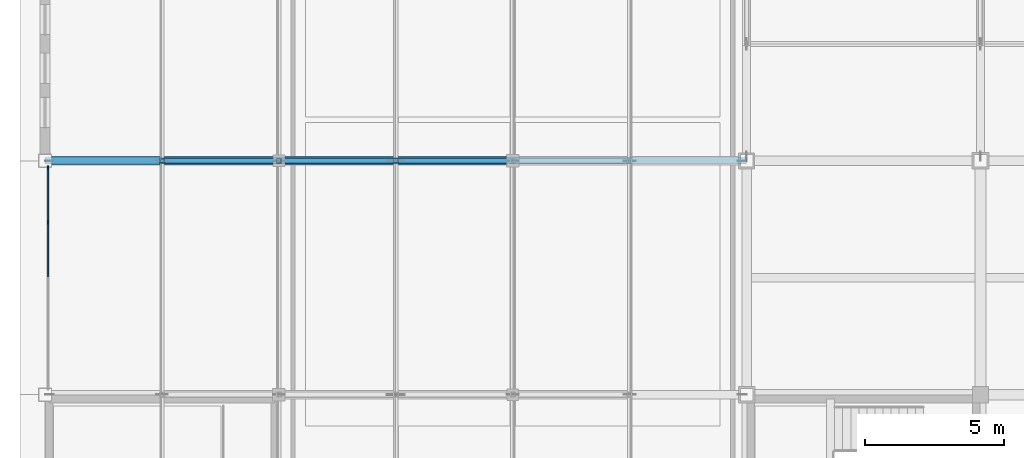
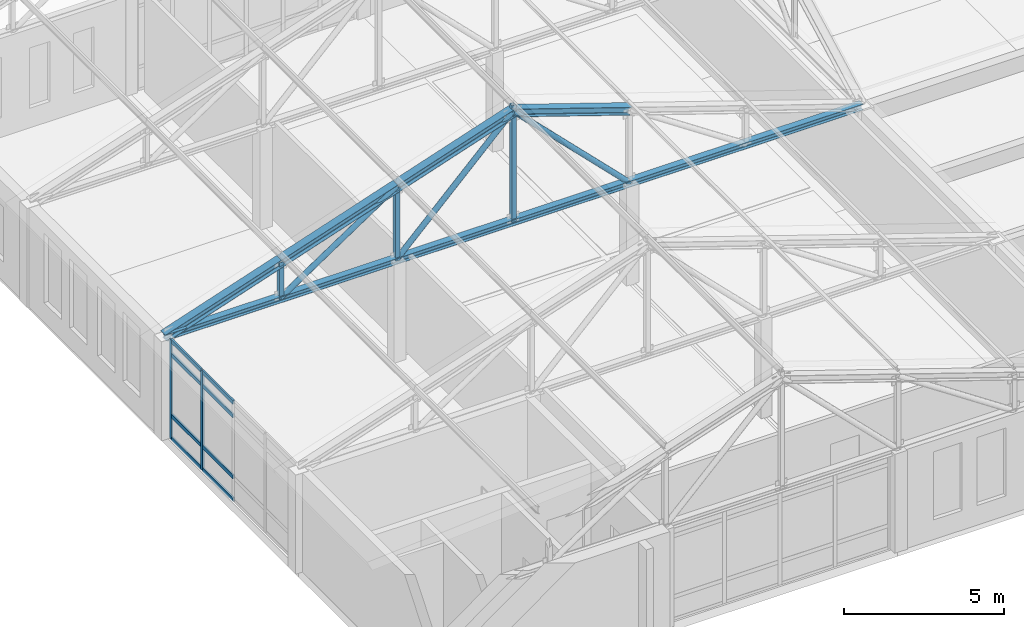
# One storey, part 14 of 56: 21 members, 1 element without a shape of its own.
"""IFC4 building model written with IfcOpenShell, lengths in metres."""

from ifc_helpers import new_model, si_unit, direction, frame, origin, origin_2d, place, context, subcontext, project, spatial, rectangle, hollow_rectangle, hollow_circle, i_section, extrude, material, layer, layer_set, material_profile, profile_set, type_object, element, aggregate, save


model = new_model("IFC4")

# Units and contexts
model_context = context("Model", 3, precision=1e-05, world=origin(), true_north=direction((0.0, 1.0)))
body_context = subcontext(model_context, "Body", "Model", "MODEL_VIEW")
ifc_project = project(units=[si_unit("LENGTHUNIT", "METRE"), si_unit("AREAUNIT", "SQUARE_METRE"), si_unit("VOLUMEUNIT", "CUBIC_METRE"), si_unit("PLANEANGLEUNIT", "RADIAN"), si_unit("MASSUNIT", "GRAM", prefix="KILO")], contexts=[model_context])

# Site, building, storey
site_placement = place(None, origin())
site = spatial("IfcSite", under=ifc_project, at=site_placement, CompositionType="ELEMENT")
building_placement = place(site_placement, origin())
building = spatial("IfcBuilding", under=site, at=building_placement, Name="Kveldsbrygga Polytechnic", CompositionType="ELEMENT")
storey_placement = place(building_placement, frame((0.0, 0.0, 18.02001953125)))
storey = spatial("IfcBuildingStorey", under=building, at=storey_placement, Name="L04", CompositionType="ELEMENT", Elevation=18.02001953125)

# Curtain wall, members
ifc_material_1 = material(Name="Anodised aluminium AW-6060", Category="aluminium")
ifc_layer = layer(ifc_material_1, 0.199951171875)
ifc_layer_set = layer_set([ifc_layer], Name="Anodised aluminium AW-6060")
curtain_wall_type = type_object("IfcCurtainWallType", Name="CW-LANC-E", PredefinedType="USERDEFINED", material=ifc_layer_set)
curtain_wall_placement = place(storey_placement, origin())
curtain_wall = element("IfcCurtainWall", 1, at=curtain_wall_placement, inside=storey, type_object=curtain_wall_type, Name="Curtain Wall CW-L04-Y-12-11", ObjectType="UNITISED CURTAIN WALL", PredefinedType="USERDEFINED")
ifc_material_profile_1 = material_profile(ifc_material_1, rectangle(XDim=0.06005859375, YDim=0.139892578125, at=origin_2d()), Name="ALU 60x140")
ifc_profile_set_1 = profile_set([ifc_material_profile_1], Name="Anodised aluminium AW-6060")
member_type_1 = type_object("IfcMemberType", Name="CW-MUL-140", PredefinedType="MULLION", material=ifc_profile_set_1)
member_1_placement = place(storey_placement, frame((100.89990234375, 98.58740234375, 0.0), z_axis=(0.0, 0.0, 1.0), x_axis=(-1.0, 0.0, 0.0)))
member_1 = element("IfcMember", 2, at=member_1_placement, type_object=member_type_1, Name="CW-05 mullion 4", PredefinedType="MULLION", context=body_context, shape_type="SweptSolid", body=[
    extrude(rectangle(XDim=0.06005859375, YDim=0.139892578125, at=origin_2d()), origin(), (0.0, 0.0, 1.0), 3.780029296875),
])
member_2_placement = place(storey_placement, frame((100.89990234375, 100.544921875, 0.0), z_axis=(0.0, 0.0, 1.0), x_axis=(-1.0, 0.0, 0.0)))
member_2 = element("IfcMember", 3, at=member_2_placement, type_object=member_type_1, Name="CW-05 mullion 5", PredefinedType="MULLION", context=body_context, shape_type="SweptSolid", body=[
    extrude(rectangle(XDim=0.06005859375, YDim=0.139892578125, at=origin_2d()), origin(), (0.0, 0.0, 1.0), 3.780029296875),
])
ifc_material_profile_2 = material_profile(ifc_material_1, rectangle(XDim=0.06005859375, YDim=0.14990234375, at=origin_2d()), Name="ALU 60x150")
ifc_profile_set_2 = profile_set([ifc_material_profile_2], Name="Anodised aluminium AW-6060")
member_type_2 = type_object("IfcMemberType", Name="CW-TRN-150", PredefinedType="USERDEFINED", material=ifc_profile_set_2)
member_3_placement = place(storey_placement, frame((100.89990234375, 96.6298828125, 0.030029296875), z_axis=(0.0, 1.0, 0.0), x_axis=(-1.0, 0.0, 0.0)))
member_3 = element("IfcMember", 4, at=member_3_placement, type_object=member_type_2, Name="CW-05 transom 3.1", ObjectType="TRANSOM", PredefinedType="USERDEFINED", context=body_context, shape_type="SweptSolid", body=[
    extrude(rectangle(XDim=0.06005859375, YDim=0.14990234375, at=origin_2d()), origin(), (0.0, 0.0, 1.0), 1.927734375),
])
member_4_placement = place(storey_placement, frame((100.89990234375, 96.6298828125, 0.89990234375), z_axis=(0.0, 1.0, 0.0), x_axis=(-1.0, 0.0, 0.0)))
member_4 = element("IfcMember", 5, at=member_4_placement, type_object=member_type_2, Name="CW-05 transom 3.2", ObjectType="TRANSOM", PredefinedType="USERDEFINED", context=body_context, shape_type="SweptSolid", body=[
    extrude(rectangle(XDim=0.06005859375, YDim=0.14990234375, at=origin_2d()), origin(), (0.0, 0.0, 1.0), 1.927734375),
])
member_5_placement = place(storey_placement, frame((100.89990234375, 96.6298828125, 3.22998046875), z_axis=(0.0, 1.0, 0.0), x_axis=(-1.0, 0.0, 0.0)))
member_5 = element("IfcMember", 6, at=member_5_placement, type_object=member_type_2, Name="CW-05 transom 3.3", ObjectType="TRANSOM", PredefinedType="USERDEFINED", context=body_context, shape_type="SweptSolid", body=[
    extrude(rectangle(XDim=0.06005859375, YDim=0.14990234375, at=origin_2d()), origin(), (0.0, 0.0, 1.0), 1.927734375),
])
member_6_placement = place(storey_placement, frame((100.89990234375, 96.6298828125, 3.75), z_axis=(0.0, 1.0, 0.0), x_axis=(-1.0, 0.0, 0.0)))
member_6 = element("IfcMember", 7, at=member_6_placement, type_object=member_type_2, Name="CW-05 transom 3.4", ObjectType="TRANSOM", PredefinedType="USERDEFINED", context=body_context, shape_type="SweptSolid", body=[
    extrude(rectangle(XDim=0.06005859375, YDim=0.14990234375, at=origin_2d()), origin(), (0.0, 0.0, 1.0), 1.927734375),
])
member_7_placement = place(storey_placement, frame((100.89990234375, 98.617431640625, 0.030029296875), z_axis=(0.0, 1.0, 0.0), x_axis=(-1.0, 0.0, 0.0)))
member_7 = element("IfcMember", 8, at=member_7_placement, type_object=member_type_2, Name="CW-05 transom 4.1", ObjectType="TRANSOM", PredefinedType="USERDEFINED", context=body_context, shape_type="SweptSolid", body=[
    extrude(rectangle(XDim=0.06005859375, YDim=0.14990234375, at=origin_2d()), origin(), (0.0, 0.0, 1.0), 1.8974609375),
])
member_8_placement = place(storey_placement, frame((100.89990234375, 98.617431640625, 0.89990234375), z_axis=(0.0, 1.0, 0.0), x_axis=(-1.0, 0.0, 0.0)))
member_8 = element("IfcMember", 9, at=member_8_placement, type_object=member_type_2, Name="CW-05 transom 4.2", ObjectType="TRANSOM", PredefinedType="USERDEFINED", context=body_context, shape_type="SweptSolid", body=[
    extrude(rectangle(XDim=0.06005859375, YDim=0.14990234375, at=origin_2d()), origin(), (0.0, 0.0, 1.0), 1.8974609375),
])
member_9_placement = place(storey_placement, frame((100.89990234375, 98.617431640625, 3.22998046875), z_axis=(0.0, 1.0, 0.0), x_axis=(-1.0, 0.0, 0.0)))
member_9 = element("IfcMember", 10, at=member_9_placement, type_object=member_type_2, Name="CW-05 transom 4.3", ObjectType="TRANSOM", PredefinedType="USERDEFINED", context=body_context, shape_type="SweptSolid", body=[
    extrude(rectangle(XDim=0.06005859375, YDim=0.14990234375, at=origin_2d()), origin(), (0.0, 0.0, 1.0), 1.8974609375),
])
member_10_placement = place(storey_placement, frame((100.89990234375, 98.617431640625, 3.75), z_axis=(0.0, 1.0, 0.0), x_axis=(-1.0, 0.0, 0.0)))
member_10 = element("IfcMember", 11, at=member_10_placement, type_object=member_type_2, Name="CW-05 transom 4.4", ObjectType="TRANSOM", PredefinedType="USERDEFINED", context=body_context, shape_type="SweptSolid", body=[
    extrude(rectangle(XDim=0.06005859375, YDim=0.14990234375, at=origin_2d()), origin(), (0.0, 0.0, 1.0), 1.8974609375),
])
aggregate(curtain_wall, [member_1, member_2, member_3, member_4, member_5, member_6, member_7, member_8, member_9, member_10])

# Members
ifc_material_2 = material(Name="Steel S355", Category="steel")
ifc_material_profile_3 = material_profile(ifc_material_2, i_section(OverallWidth=0.239990234375, OverallDepth=0.22998046875, WebThickness=0.007568359375, FlangeThickness=0.011962890625, FilletRadius=0.02099609375, at=origin_2d()), Name="HEA 240")
ifc_profile_set_3 = profile_set([ifc_material_profile_3], Name="Steel S355")
member_type_3 = type_object("IfcMemberType", Name="TR-BOT-HEA240", PredefinedType="CHORD", material=ifc_profile_set_3)
member_11_placement = place(storey_placement, frame((100.800048828125, 100.800048828125, 3.780029296875), z_axis=(1.0, 0.0, 0.0), x_axis=(0.0, 1.0, 0.0)))
element("IfcMember", 12, at=member_11_placement, inside=storey, type_object=member_type_3, Name="Truss Bottom Chord V4NE5-T03-BC-1", PredefinedType="CHORD", context=body_context, shape_type="SweptSolid", body=[
    extrude(i_section(OverallWidth=0.239990234375, OverallDepth=0.22998046875, WebThickness=0.007568359375, FlangeThickness=0.011962890625, FilletRadius=0.02099609375, at=origin_2d()), origin(), (0.0, 0.0, 1.0), 25.199951171875),
])
ifc_material_profile_4 = material_profile(ifc_material_2, hollow_circle(Radius=0.096923828125, WallThickness=0.010009765625, at=origin_2d()), Name="CHS 193.7x10.0")
ifc_profile_set_4 = profile_set([ifc_material_profile_4], Name="Steel S355")
member_type_4 = type_object("IfcMemberType", Name="TR-DIAG-CHS194", PredefinedType="BRACE", material=ifc_profile_set_4)
member_12_placement = place(storey_placement, frame((105.0, 100.800048828125, 3.780029296875), z_axis=(0.832042853317, 0.0, 0.554711357594), x_axis=(0.0, 1.0, 0.0)))
element("IfcMember", 13, at=member_12_placement, inside=storey, type_object=member_type_4, Name="Truss Diagonal V4NE5-T03-DG-2", PredefinedType="BRACE", context=body_context, shape_type="SweptSolid", body=[
    extrude(hollow_circle(Radius=0.096923828125, WallThickness=0.010009765625, at=origin_2d()), origin(), (0.0, 0.0, 1.0), 5.0478515625),
])
for number, where, z_axis, x_axis, name in (
    (14, (109.199951171875, 100.800048828125, 3.780029296875), (0.707106781187, 0.0, 0.707106781187), (0.0, 1.0, 0.0), "Truss Diagonal V4NE5-T03-DG-3"),
    (15, (113.39990234375, 100.800048828125, 7.97998046875), (0.707127332136, 0.0, -0.70708622964), (0.0, 1.0, 0.0), "Truss Diagonal V4NE5-T03-DG-4"),
):
    element("IfcMember", number, at=place(storey_placement, frame(where, z_axis=z_axis, x_axis=x_axis)), inside=storey, type_object=member_type_4, Name=name, PredefinedType="BRACE", context=body_context, shape_type="SweptSolid", body=[
        extrude(hollow_circle(Radius=0.096923828125, WallThickness=0.010009765625, at=origin_2d()), origin(), (0.0, 0.0, 1.0), 5.939697265625),
    ])
ifc_material_profile_5 = material_profile(ifc_material_2, hollow_rectangle(XDim=0.159912109375, YDim=0.159912109375, WallThickness=0.010009765625, at=origin_2d()), Name="SHS 160x160x10.0")
ifc_profile_set_5 = profile_set([ifc_material_profile_5], Name="Steel S355")
member_type_5 = type_object("IfcMemberType", Name="TR-POST-SHS160", PredefinedType="STRUT", material=ifc_profile_set_5)
member_13_placement = place(storey_placement, frame((105.0, 100.800048828125, 3.780029296875), z_axis=(0.0, 0.0, 1.0), x_axis=(1.0, 0.0, 0.0)))
element("IfcMember", 16, at=member_13_placement, inside=storey, type_object=member_type_5, Name="Truss Vertical V4NE5-T03-VT-1", PredefinedType="STRUT", context=body_context, shape_type="SweptSolid", body=[
    extrude(hollow_rectangle(XDim=0.159912109375, YDim=0.159912109375, WallThickness=0.010009765625, at=origin_2d()), origin(), (0.0, 0.0, 1.0), 1.39990234375),
])
member_14_placement = place(storey_placement, frame((109.199951171875, 100.800048828125, 3.780029296875), z_axis=(0.0, 0.0, 1.0), x_axis=(1.0, 0.0, 0.0)))
element("IfcMember", 17, at=member_14_placement, inside=storey, type_object=member_type_5, Name="Truss Vertical V4NE5-T03-VT-2", PredefinedType="STRUT", context=body_context, shape_type="SweptSolid", body=[
    extrude(hollow_rectangle(XDim=0.159912109375, YDim=0.159912109375, WallThickness=0.010009765625, at=origin_2d()), origin(), (0.0, 0.0, 1.0), 2.800048828125),
])
member_15_placement = place(storey_placement, frame((113.39990234375, 100.800048828125, 3.780029296875), z_axis=(0.0, 0.0, 1.0), x_axis=(1.0, 0.0, 0.0)))
element("IfcMember", 18, at=member_15_placement, inside=storey, type_object=member_type_5, Name="Truss Vertical V4NE5-T03-VT-3", PredefinedType="STRUT", context=body_context, shape_type="SweptSolid", body=[
    extrude(hollow_rectangle(XDim=0.159912109375, YDim=0.159912109375, WallThickness=0.010009765625, at=origin_2d()), origin(), (0.0, 0.0, 1.0), 4.458251953125),
])
ifc_material_profile_6 = material_profile(ifc_material_2, i_section(OverallWidth=0.300048828125, OverallDepth=0.2900390625, WebThickness=0.008544921875, FlangeThickness=0.013916015625, FilletRadius=0.027099609375, at=origin_2d()), Name="HEA 300")
ifc_profile_set_6 = profile_set([ifc_material_profile_6], Name="Steel S355")
member_type_6 = type_object("IfcMemberType", Name="TR-TOP-HEA300", PredefinedType="CHORD", material=ifc_profile_set_6)
member_16_placement = place(storey_placement, frame((100.800048828125, 100.800048828125, 3.780029296875), z_axis=(0.948688812577, 0.0, 0.316211221956), x_axis=(0.0, 1.0, 0.0)))
element("IfcMember", 19, at=member_16_placement, inside=storey, type_object=member_type_6, Name="Truss Top Chord V4NE5-T03-TC-1", PredefinedType="CHORD", context=body_context, shape_type="SweptSolid", body=[
    extrude(i_section(OverallWidth=0.300048828125, OverallDepth=0.2900390625, WebThickness=0.008544921875, FlangeThickness=0.013916015625, FilletRadius=0.027099609375, at=origin_2d()), origin(), (0.0, 0.0, 1.0), 4.427001953125),
])
member_17_placement = place(storey_placement, frame((105.0, 100.800048828125, 5.179931640625), z_axis=(0.948672268324, 0.0, 0.316260853272), x_axis=(0.0, 1.0, 0.0)))
element("IfcMember", 20, at=member_17_placement, inside=storey, type_object=member_type_6, Name="Truss Top Chord V4NE5-T03-TC-2", PredefinedType="CHORD", context=body_context, shape_type="SweptSolid", body=[
    extrude(i_section(OverallWidth=0.300048828125, OverallDepth=0.2900390625, WebThickness=0.008544921875, FlangeThickness=0.013916015625, FilletRadius=0.027099609375, at=origin_2d()), origin(), (0.0, 0.0, 1.0), 4.42724609375),
])
member_18_placement = place(storey_placement, frame((109.199951171875, 100.800048828125, 6.580078125), z_axis=(0.948688812577, 0.0, 0.316211221956), x_axis=(0.0, 1.0, 0.0)))
element("IfcMember", 21, at=member_18_placement, inside=storey, type_object=member_type_6, Name="Truss Top Chord V4NE5-T03-TC-3", PredefinedType="CHORD", context=body_context, shape_type="SweptSolid", body=[
    extrude(i_section(OverallWidth=0.300048828125, OverallDepth=0.2900390625, WebThickness=0.008544921875, FlangeThickness=0.013916015625, FilletRadius=0.027099609375, at=origin_2d()), origin(), (0.0, 0.0, 1.0), 4.427001953125),
])
member_19_placement = place(storey_placement, frame((113.39990234375, 100.800048828125, 7.97998046875), z_axis=(0.948694326238, 0.0, -0.316194679531), x_axis=(0.0, 1.0, 0.0)))
element("IfcMember", 22, at=member_19_placement, inside=storey, type_object=member_type_6, Name="Truss Top Chord V4NE5-T03-TC-4", PredefinedType="CHORD", context=body_context, shape_type="SweptSolid", body=[
    extrude(i_section(OverallWidth=0.300048828125, OverallDepth=0.2900390625, WebThickness=0.008544921875, FlangeThickness=0.013916015625, FilletRadius=0.027099609375, at=origin_2d()), origin(), (0.0, 0.0, 1.0), 4.42724609375),
])

save(model, "model.ifc")
